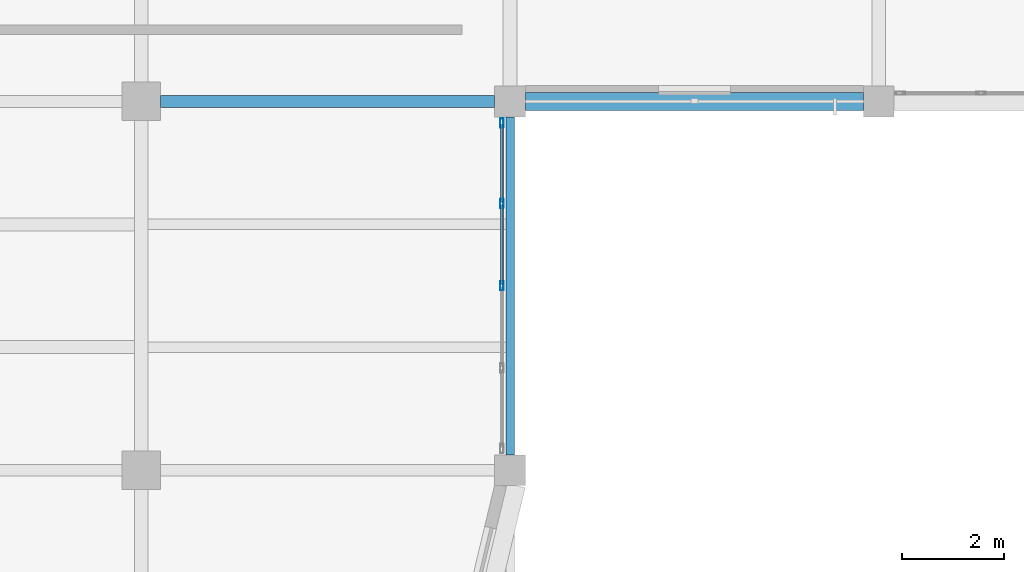
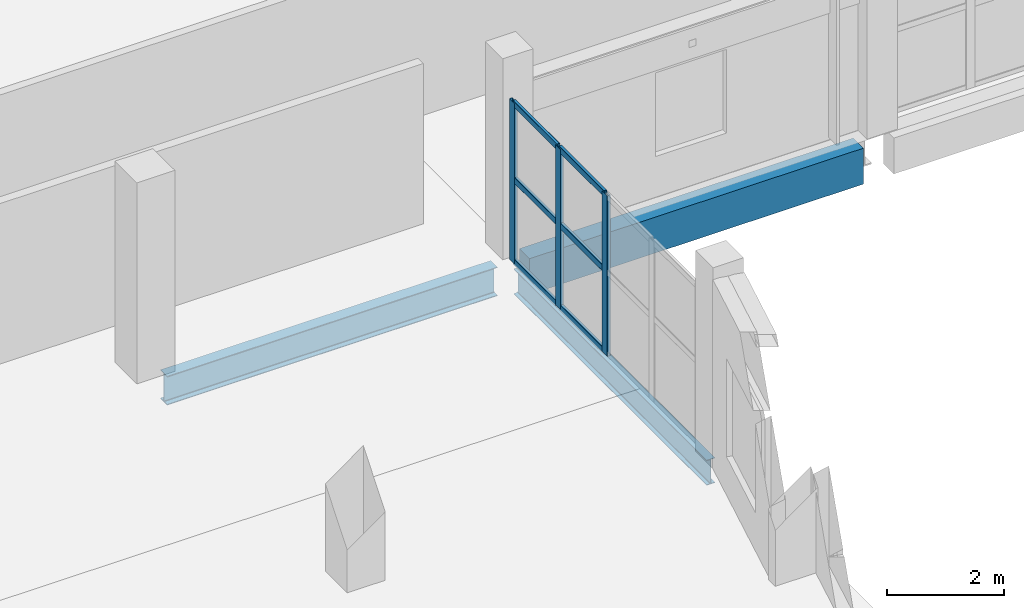
# One storey, part 41 of 94: 9 members, 3 beams, 1 element without a shape of its own.
"""IFC4 building model written with IfcOpenShell, lengths in metres."""

from ifc_helpers import new_model, si_unit, direction, frame, origin, origin_2d, place, context, subcontext, project, spatial, rectangle, hollow_rectangle, i_section, extrude, material, material_profile, profile_set, type_object, element, aggregate, save


model = new_model("IFC4")

# Units and contexts
model_context = context("Model", 3, precision=1e-05, world=origin(), true_north=direction((0.0, 1.0)))
body_context = subcontext(model_context, "Body", "Model", "MODEL_VIEW")
ifc_project = project(units=[si_unit("LENGTHUNIT", "METRE"), si_unit("AREAUNIT", "SQUARE_METRE"), si_unit("VOLUMEUNIT", "CUBIC_METRE"), si_unit("PLANEANGLEUNIT", "RADIAN"), si_unit("MASSUNIT", "GRAM", prefix="KILO")], contexts=[model_context])

# Site, building, storey
site_placement = place(None, origin())
site = spatial("IfcSite", under=ifc_project, at=site_placement, CompositionType="ELEMENT")
building_placement = place(site_placement, origin())
building = spatial("IfcBuilding", under=site, at=building_placement, Name="Kalmorath City Hall", CompositionType="ELEMENT")
storey_placement = place(building_placement, frame((0.0, 0.0, 14.699951171875)))
storey = spatial("IfcBuildingStorey", under=building, at=storey_placement, Name="L03", CompositionType="ELEMENT", Elevation=14.699951171875)

# Curtain wall, members
ifc_material_1 = material(Name="Anodised aluminium and laminated glass", Category="aluminium")
curtain_wall_type = type_object("IfcCurtainWallType", Name="Unitised hurricane curtain wall 6420x3352 M1600", PredefinedType="NOTDEFINED", material=ifc_material_1)
curtain_wall_placement = place(storey_placement, origin())
curtain_wall = element("IfcCurtainWall", 1, at=curtain_wall_placement, inside=storey, type_object=curtain_wall_type, Name="L03 curtain wall CW-64X34M16 #151", PredefinedType="NOTDEFINED")
ifc_material_2 = material(Name="Anodised aluminium framing", Category="aluminium")
ifc_material_profile_1 = material_profile(ifc_material_2, hollow_rectangle(XDim=0.06494140625, YDim=0.179931640625, WallThickness=0.00390625, InnerFilletRadius=0.00390625, OuterFilletRadius=0.008056640625, at=origin_2d()), Name="ALU-MUL-180X65X4")
ifc_profile_set_1 = profile_set([ifc_material_profile_1], Name="Anodised aluminium framing")
member_type_1 = type_object("IfcMemberType", Name="Curtain-wall courtyard mullion 180x65", PredefinedType="MULLION", material=ifc_profile_set_1)
member_1_placement = place(storey_placement, frame((28.639892578125, 93.177490234375, 0.0), z_axis=(0.0, 0.0, 1.0), x_axis=(1.0, 0.0, 0.0)))
member_1 = element("IfcMember", 2, at=member_1_placement, type_object=member_type_1, Name="CW-64X34M16 mullion 1", PredefinedType="MULLION", context=body_context, shape_type="SweptSolid", body=[
    extrude(hollow_rectangle(XDim=0.06494140625, YDim=0.179931640625, WallThickness=0.00390625, InnerFilletRadius=0.00390625, OuterFilletRadius=0.008056640625, at=origin_2d()), origin(), (0.0, 0.0, 1.0), 3.35205078125),
])
member_2_placement = place(storey_placement, frame((28.639892578125, 91.60498046875, 0.0), z_axis=(0.0, 0.0, 1.0), x_axis=(1.0, 0.0, 0.0)))
member_2 = element("IfcMember", 3, at=member_2_placement, type_object=member_type_1, Name="CW-64X34M16 mullion 2", PredefinedType="MULLION", context=body_context, shape_type="SweptSolid", body=[
    extrude(hollow_rectangle(XDim=0.06494140625, YDim=0.179931640625, WallThickness=0.00390625, InnerFilletRadius=0.00390625, OuterFilletRadius=0.008056640625, at=origin_2d()), origin(), (0.0, 0.0, 1.0), 3.35205078125),
])
member_3_placement = place(storey_placement, frame((28.639892578125, 90.0, 0.0), z_axis=(0.0, 0.0, 1.0), x_axis=(1.0, 0.0, 0.0)))
member_3 = element("IfcMember", 4, at=member_3_placement, type_object=member_type_1, Name="CW-64X34M16 mullion 3", PredefinedType="MULLION", context=body_context, shape_type="SweptSolid", body=[
    extrude(hollow_rectangle(XDim=0.06494140625, YDim=0.179931640625, WallThickness=0.00390625, InnerFilletRadius=0.00390625, OuterFilletRadius=0.008056640625, at=origin_2d()), origin(), (0.0, 0.0, 1.0), 3.35205078125),
])
ifc_material_3 = material(Name="Anodised aluminium framing", Category="aluminium")
ifc_material_profile_2 = material_profile(ifc_material_3, hollow_rectangle(XDim=0.06005859375, YDim=0.1298828125, WallThickness=0.00341796875, InnerFilletRadius=0.00341796875, OuterFilletRadius=0.007080078125, at=origin_2d()), Name="ALU-TRN-130X60X3.5")
ifc_profile_set_2 = profile_set([ifc_material_profile_2], Name="Anodised aluminium framing")
member_type_2 = type_object("IfcMemberType", Name="Curtain-wall courtyard transom 130x60", PredefinedType="USERDEFINED", material=ifc_profile_set_2)
member_4_placement = place(storey_placement, frame((28.639892578125, 93.14501953125, 0.030029296875), z_axis=(0.0, -1.0, 0.0), x_axis=(1.0, 0.0, 0.0)))
member_4 = element("IfcMember", 5, at=member_4_placement, type_object=member_type_2, Name="CW-64X34M16 transom 1.1", ObjectType="TRANSOM", PredefinedType="USERDEFINED", context=body_context, shape_type="SweptSolid", body=[
    extrude(hollow_rectangle(XDim=0.06005859375, YDim=0.1298828125, WallThickness=0.00341796875, InnerFilletRadius=0.00341796875, OuterFilletRadius=0.007080078125, at=origin_2d()), origin(), (0.0, 0.0, 1.0), 1.507568359375),
])
member_5_placement = place(storey_placement, frame((28.639892578125, 93.14501953125, 1.7431640625), z_axis=(0.0, -1.0, 0.0), x_axis=(1.0, 0.0, 0.0)))
member_5 = element("IfcMember", 6, at=member_5_placement, type_object=member_type_2, Name="CW-64X34M16 transom 1.2", ObjectType="TRANSOM", PredefinedType="USERDEFINED", context=body_context, shape_type="SweptSolid", body=[
    extrude(hollow_rectangle(XDim=0.06005859375, YDim=0.1298828125, WallThickness=0.00341796875, InnerFilletRadius=0.00341796875, OuterFilletRadius=0.007080078125, at=origin_2d()), origin(), (0.0, 0.0, 1.0), 1.507568359375),
])
member_6_placement = place(storey_placement, frame((28.639892578125, 93.14501953125, 3.322021484375), z_axis=(0.0, -1.0, 0.0), x_axis=(1.0, 0.0, 0.0)))
member_6 = element("IfcMember", 7, at=member_6_placement, type_object=member_type_2, Name="CW-64X34M16 transom 1.3", ObjectType="TRANSOM", PredefinedType="USERDEFINED", context=body_context, shape_type="SweptSolid", body=[
    extrude(hollow_rectangle(XDim=0.06005859375, YDim=0.1298828125, WallThickness=0.00341796875, InnerFilletRadius=0.00341796875, OuterFilletRadius=0.007080078125, at=origin_2d()), origin(), (0.0, 0.0, 1.0), 1.507568359375),
])
member_7_placement = place(storey_placement, frame((28.639892578125, 91.572509765625, 0.030029296875), z_axis=(0.0, -1.0, 0.0), x_axis=(1.0, 0.0, 0.0)))
member_7 = element("IfcMember", 8, at=member_7_placement, type_object=member_type_2, Name="CW-64X34M16 transom 2.1", ObjectType="TRANSOM", PredefinedType="USERDEFINED", context=body_context, shape_type="SweptSolid", body=[
    extrude(hollow_rectangle(XDim=0.06005859375, YDim=0.1298828125, WallThickness=0.00341796875, InnerFilletRadius=0.00341796875, OuterFilletRadius=0.007080078125, at=origin_2d()), origin(), (0.0, 0.0, 1.0), 1.5400390625),
])
member_8_placement = place(storey_placement, frame((28.639892578125, 91.572509765625, 1.7431640625), z_axis=(0.0, -1.0, 0.0), x_axis=(1.0, 0.0, 0.0)))
member_8 = element("IfcMember", 9, at=member_8_placement, type_object=member_type_2, Name="CW-64X34M16 transom 2.2", ObjectType="TRANSOM", PredefinedType="USERDEFINED", context=body_context, shape_type="SweptSolid", body=[
    extrude(hollow_rectangle(XDim=0.06005859375, YDim=0.1298828125, WallThickness=0.00341796875, InnerFilletRadius=0.00341796875, OuterFilletRadius=0.007080078125, at=origin_2d()), origin(), (0.0, 0.0, 1.0), 1.5400390625),
])
member_9_placement = place(storey_placement, frame((28.639892578125, 91.572509765625, 3.322021484375), z_axis=(0.0, -1.0, 0.0), x_axis=(1.0, 0.0, 0.0)))
member_9 = element("IfcMember", 10, at=member_9_placement, type_object=member_type_2, Name="CW-64X34M16 transom 2.3", ObjectType="TRANSOM", PredefinedType="USERDEFINED", context=body_context, shape_type="SweptSolid", body=[
    extrude(hollow_rectangle(XDim=0.06005859375, YDim=0.1298828125, WallThickness=0.00341796875, InnerFilletRadius=0.00341796875, OuterFilletRadius=0.007080078125, at=origin_2d()), origin(), (0.0, 0.0, 1.0), 1.5400390625),
])
aggregate(curtain_wall, [member_1, member_2, member_3, member_4, member_5, member_6, member_7, member_8, member_9])

# Beams
ifc_material_4 = material(Name="Precast concrete C40/50", Category="concrete")
ifc_material_profile_3 = material_profile(ifc_material_4, rectangle(XDim=0.35009765625, YDim=0.75, at=origin_2d()), Name="PC-SP-350X750")
ifc_profile_set_3 = profile_set([ifc_material_profile_3], Name="Precast concrete C40/50")
beam_type_1 = type_object("IfcBeamType", Name="Precast spandrel lintel 350x750", PredefinedType="LINTEL", material=ifc_profile_set_3)
beam_1_placement = place(storey_placement, frame((29.10009765625, 93.60009765625, -0.638916015625), z_axis=(1.0, 0.0, 0.0), x_axis=(0.0, 1.0, 0.0)))
element("IfcBeam", 11, at=beam_1_placement, inside=storey, type_object=beam_type_1, Name="L03 girder PSB1 X5-6/14", PredefinedType="LINTEL", context=body_context, shape_type="SweptSolid", body=[
    extrude(rectangle(XDim=0.35009765625, YDim=0.75, at=origin_2d()), origin(), (0.0, 0.0, 1.0), 6.599853515625),
])
ifc_material_5 = material(Name="Steel ASTM A992 Grade 50", Category="steel")
ifc_material_profile_4 = material_profile(ifc_material_5, i_section(OverallWidth=0.22802734375, OverallDepth=0.60302734375, WebThickness=0.010498046875, FlangeThickness=0.014892578125, FilletRadius=0.01611328125, at=origin_2d()), Name="W24X68")
ifc_profile_set_4 = profile_set([ifc_material_profile_4], Name="Steel ASTM A992 Grade 50")
beam_type_2 = type_object("IfcBeamType", Name="Steel floor girder W24X68", PredefinedType="BEAM", material=ifc_profile_set_4)
beam_2_placement = place(storey_placement, frame((21.97509765625, 93.60009765625, -0.5654296875), z_axis=(1.0, 0.0, 0.0), x_axis=(0.0, 1.0, 0.0)))
element("IfcBeam", 12, at=beam_2_placement, inside=storey, type_object=beam_type_2, Name="L03 girder SG9 X4-5/14", PredefinedType="BEAM", context=body_context, shape_type="SweptSolid", body=[
    extrude(i_section(OverallWidth=0.22802734375, OverallDepth=0.60302734375, WebThickness=0.010498046875, FlangeThickness=0.014892578125, FilletRadius=0.01611328125, at=origin_2d()), origin(), (0.0, 0.0, 1.0), 6.52490234375),
])
ifc_material_6 = material(Name="Steel ASTM A992 Grade 50", Category="steel")
ifc_material_profile_5 = material_profile(ifc_material_6, i_section(OverallWidth=0.1650390625, OverallDepth=0.52490234375, WebThickness=0.0087890625, FlangeThickness=0.011474609375, FilletRadius=0.014892578125, at=origin_2d()), Name="W21X44")
ifc_profile_set_5 = profile_set([ifc_material_profile_5], Name="Steel ASTM A992 Grade 50")
beam_type_3 = type_object("IfcBeamType", Name="Steel spandrel beam W21X44", PredefinedType="SPANDREL", material=ifc_profile_set_5)
beam_3_placement = place(storey_placement, frame((28.800048828125, 86.699951171875, -0.5263671875), z_axis=(0.0, 1.0, 0.0), x_axis=(-1.0, 0.0, 0.0)))
element("IfcBeam", 13, at=beam_3_placement, inside=storey, type_object=beam_type_3, Name="L03 girder SB4 Y5/13-14", PredefinedType="SPANDREL", context=body_context, shape_type="SweptSolid", body=[
    extrude(i_section(OverallWidth=0.1650390625, OverallDepth=0.52490234375, WebThickness=0.0087890625, FlangeThickness=0.011474609375, FilletRadius=0.014892578125, at=origin_2d()), origin(), (0.0, 0.0, 1.0), 6.60009765625),
])

save(model, "model.ifc")
